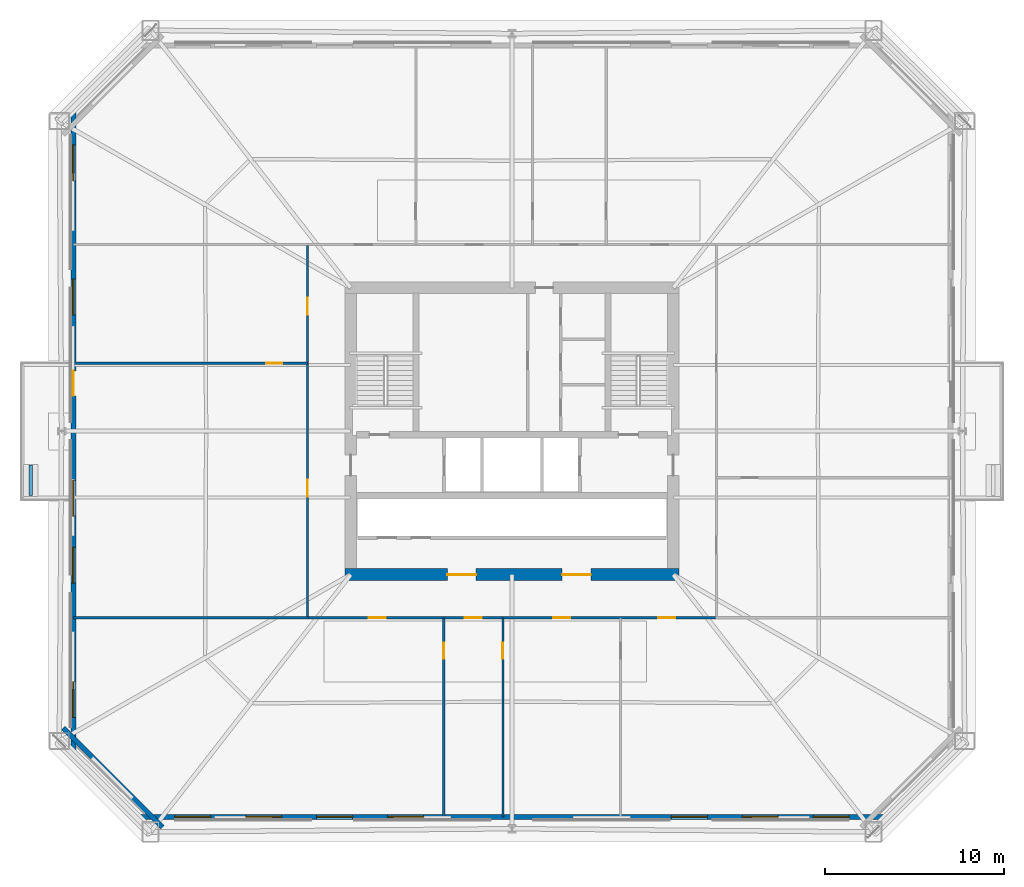
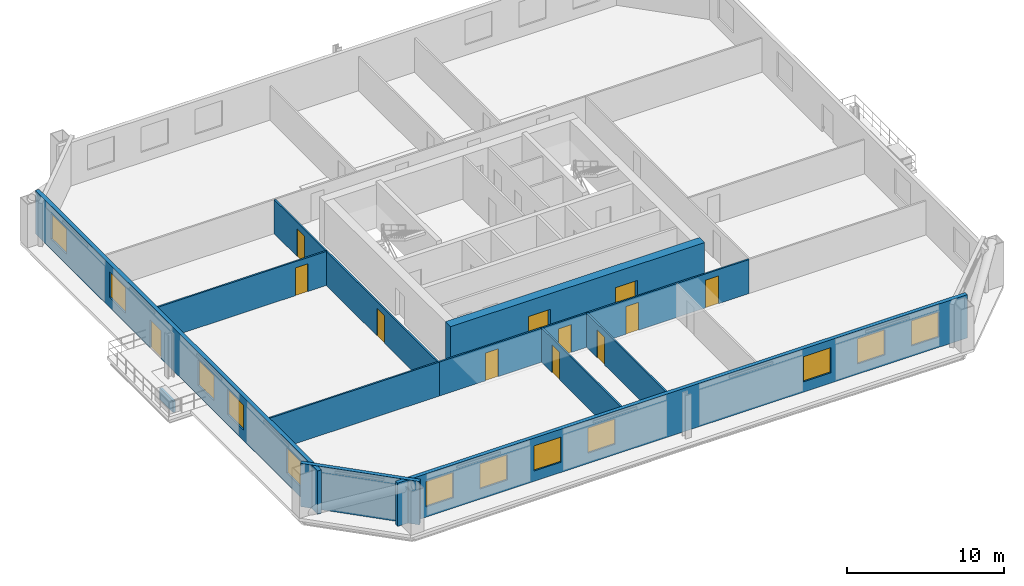
# One storey, part 5 of 11: 12 doors, 12 windows, 11 walls, 24 openings.
"""IFC4 building model written with IfcOpenShell, lengths in metres."""

from ifc_helpers import new_model, si_unit, direction, frame, frame_2d, origin, place, context, subcontext, project, spatial, rectangle, extrude, material, layer, layer_set, type_object, element, fill, save


model = new_model("IFC4")

# Units and contexts
model_context = context("Model", 3, precision=1e-05, world=origin(), true_north=direction((0.0, 1.0)))
body_context = subcontext(model_context, "Body", "Model", "MODEL_VIEW")
ifc_project = project(units=[si_unit("LENGTHUNIT", "METRE"), si_unit("AREAUNIT", "SQUARE_METRE"), si_unit("VOLUMEUNIT", "CUBIC_METRE"), si_unit("PLANEANGLEUNIT", "RADIAN"), si_unit("MASSUNIT", "GRAM", prefix="KILO")], contexts=[model_context])

# Site, building, storey
site_placement = place(None, origin())
site = spatial("IfcSite", under=ifc_project, at=site_placement, CompositionType="ELEMENT")
building_placement = place(site_placement, origin())
building = spatial("IfcBuilding", under=site, at=building_placement, Name="Caelvoria Tower", CompositionType="ELEMENT")
storey_placement = place(building_placement, frame((0.0, 0.0, 64.0)))
storey = spatial("IfcBuildingStorey", under=building, at=storey_placement, Name="L16", CompositionType="ELEMENT", Elevation=64.0)

# Wall
ifc_material_1 = material(Name="Bronze-Clad Concrete C40/50", Category="concrete")
ifc_layer_1 = layer(ifc_material_1, 0.179931640625, Name="Bronze-Clad Concrete C40/50")
ifc_layer_set_1 = layer_set([ifc_layer_1], Name="Architectural Planter Kerb Wall 180 - Bronze-Clad Concrete C40/50")
wall_type_1 = type_object("IfcWallType", Name="Architectural Planter Kerb Wall 180", PredefinedType="PARAPET", material=ifc_layer_set_1)
wall_1_placement = place(storey_placement, frame((19.14990234375, 28.39990234375, 0.0), z_axis=(0.0, 0.0, 1.0), x_axis=(0.0, 1.0, 0.0)))
element("IfcWall", 1, at=wall_1_placement, inside=storey, type_object=wall_type_1, Name="Tree Balcony Planter Kerb PLANTER TB-L16-W", PredefinedType="PARAPET", context=body_context, shape_type="SweptSolid", body=[
    extrude(rectangle(XDim=1.7001953125, YDim=0.179931640625, at=frame_2d((0.85009765625, 0.0))), origin(), (0.0, 0.0, 1.0), 0.8798828125),
])

# Wall, openings, windows
ifc_material_2 = material(Name="Precast Concrete C40/50 with Bronze Cladding", Category="concrete")
ifc_layer_2 = layer(ifc_material_2, 0.280029296875, Name="Precast Concrete C40/50 with Bronze Cladding")
ifc_layer_set_2 = layer_set([ifc_layer_2], Name="Exterior Precast Concrete C40/50 Bronze-Clad Facade Wall 280 - Precast Concrete C40/50 with Bronze Cladding")
wall_type_2 = type_object("IfcWallType", Name="Exterior Precast Concrete C40/50 Bronze-Clad Facade Wall 280", PredefinedType="STANDARD", material=ifc_layer_set_2)
wall_2_placement = place(storey_placement, frame((25.110107421875, 10.47998046875, 0.0), z_axis=(0.0, 0.0, 1.0), x_axis=(1.0, 0.0, 0.0)))
wall_2 = element("IfcWall", 2, at=wall_2_placement, inside=storey, type_object=wall_type_2, Name="Exterior Facade Wall L16-E0", PredefinedType="STANDARD", context=body_context, shape_type="SweptSolid", body=[
    extrude(rectangle(XDim=41.77978515625, YDim=0.280029296875, at=frame_2d((20.889892578125, 0.0))), origin(), (0.0, 0.0, 1.0), 3.360107421875),
])
opening_1_placement = place(wall_2_placement, frame((2.0791015625, 0.0, 0.800048828125)))
opening_1 = element("IfcOpeningElement", 3, at=opening_1_placement, cuts=wall_2, Name="Opening WN-01", PredefinedType="OPENING", context=body_context, shape_type="SweptSolid", body=[
    extrude(rectangle(XDim=2.0, YDim=1.949951171875, at=frame_2d((1.0, 0.97509765625))), frame((0.0, 0.14990234375, 0.0), z_axis=(0.0, -1.0, 0.0), x_axis=(1.0, 0.0, 0.0)), (0.0, 0.0, 1.0), 0.300048828125),
])
opening_2_placement = place(wall_2_placement, frame((6.037109375, 0.0, 0.800048828125)))
opening_2 = element("IfcOpeningElement", 4, at=opening_2_placement, cuts=wall_2, Name="Opening WN-01", PredefinedType="OPENING", context=body_context, shape_type="SweptSolid", body=[
    extrude(rectangle(XDim=2.0, YDim=1.949951171875, at=frame_2d((1.0, 0.97509765625))), frame((0.0, 0.14990234375, 0.0), z_axis=(0.0, -1.0, 0.0), x_axis=(1.0, 0.0, 0.0)), (0.0, 0.0, 1.0), 0.300048828125),
])
opening_3_placement = place(wall_2_placement, frame((9.9951171875, 0.0, 0.800048828125)))
opening_3 = element("IfcOpeningElement", 5, at=opening_3_placement, cuts=wall_2, Name="Opening WN-01", PredefinedType="OPENING", context=body_context, shape_type="SweptSolid", body=[
    extrude(rectangle(XDim=2.0, YDim=1.949951171875, at=frame_2d((1.0, 0.97509765625))), frame((0.0, 0.14990234375, 0.0), z_axis=(0.0, -1.0, 0.0), x_axis=(1.0, 0.0, 0.0)), (0.0, 0.0, 1.0), 0.300048828125),
])
opening_4_placement = place(wall_2_placement, frame((13.952880859375, 0.0, 0.800048828125)))
opening_4 = element("IfcOpeningElement", 6, at=opening_4_placement, cuts=wall_2, Name="Opening WN-01", PredefinedType="OPENING", context=body_context, shape_type="SweptSolid", body=[
    extrude(rectangle(XDim=2.0, YDim=1.949951171875, at=frame_2d((1.0, 0.97509765625))), frame((0.0, 0.14990234375, 0.0), z_axis=(0.0, -1.0, 0.0), x_axis=(1.0, 0.0, 0.0)), (0.0, 0.0, 1.0), 0.300048828125),
])
opening_5_placement = place(wall_2_placement, frame((29.784912109375, 0.0, 0.800048828125)))
opening_5 = element("IfcOpeningElement", 7, at=opening_5_placement, cuts=wall_2, Name="Opening WN-01", PredefinedType="OPENING", context=body_context, shape_type="SweptSolid", body=[
    extrude(rectangle(XDim=2.0, YDim=1.949951171875, at=frame_2d((1.0, 0.97509765625))), frame((0.0, 0.14990234375, 0.0), z_axis=(0.0, -1.0, 0.0), x_axis=(1.0, 0.0, 0.0)), (0.0, 0.0, 1.0), 0.300048828125),
])
opening_6_placement = place(wall_2_placement, frame((33.742919921875, 0.0, 0.800048828125)))
opening_6 = element("IfcOpeningElement", 8, at=opening_6_placement, cuts=wall_2, Name="Opening WN-01", PredefinedType="OPENING", context=body_context, shape_type="SweptSolid", body=[
    extrude(rectangle(XDim=2.0, YDim=1.949951171875, at=frame_2d((1.0, 0.97509765625))), frame((0.0, 0.14990234375, 0.0), z_axis=(0.0, -1.0, 0.0), x_axis=(1.0, 0.0, 0.0)), (0.0, 0.0, 1.0), 0.300048828125),
])
opening_7_placement = place(wall_2_placement, frame((37.700927734375, 0.0, 0.800048828125)))
opening_7 = element("IfcOpeningElement", 9, at=opening_7_placement, cuts=wall_2, Name="Opening WN-01", PredefinedType="OPENING", context=body_context, shape_type="SweptSolid", body=[
    extrude(rectangle(XDim=2.0, YDim=1.949951171875, at=frame_2d((1.0, 0.97509765625))), frame((0.0, 0.14990234375, 0.0), z_axis=(0.0, -1.0, 0.0), x_axis=(1.0, 0.0, 0.0)), (0.0, 0.0, 1.0), 0.300048828125),
])
ifc_material_3 = material(Name="Low-E Tinted Glass in Bronze Aluminium Frame", Category="aluminium")
window_type = type_object("IfcWindowType", Name="Tower Office Vision Window 2000x1950", PartitioningType="SINGLE_PANEL", PredefinedType="WINDOW", material=ifc_material_3)
window_1_placement = place(opening_1_placement, origin())
window_1 = element("IfcWindow", 10, at=window_1_placement, inside=storey, type_object=window_type, Name="Facade Window L16-E0-00", OverallHeight=1.949951171875, OverallWidth=2.0, PartitioningType="SINGLE_PANEL", PredefinedType="WINDOW", context=body_context, shape_type="SweptSolid", body=[
    extrude(rectangle(XDim=2.0, YDim=1.949951171875, at=frame_2d((1.0, 0.97509765625))), frame((0.0, 0.030029296875, 0.0), z_axis=(0.0, -1.0, 0.0), x_axis=(1.0, 0.0, 0.0)), (0.0, 0.0, 1.0), 0.06005859375),
])
fill(opening_1, window_1)
window_2_placement = place(opening_2_placement, origin())
window_2 = element("IfcWindow", 11, at=window_2_placement, inside=storey, type_object=window_type, Name="Facade Window L16-E0-01", OverallHeight=1.949951171875, OverallWidth=2.0, PartitioningType="SINGLE_PANEL", PredefinedType="WINDOW", context=body_context, shape_type="SweptSolid", body=[
    extrude(rectangle(XDim=2.0, YDim=1.949951171875, at=frame_2d((1.0, 0.97509765625))), frame((0.0, 0.030029296875, 0.0), z_axis=(0.0, -1.0, 0.0), x_axis=(1.0, 0.0, 0.0)), (0.0, 0.0, 1.0), 0.06005859375),
])
fill(opening_2, window_2)
window_3_placement = place(opening_3_placement, origin())
window_3 = element("IfcWindow", 12, at=window_3_placement, inside=storey, type_object=window_type, Name="Facade Window L16-E0-02", OverallHeight=1.949951171875, OverallWidth=2.0, PartitioningType="SINGLE_PANEL", PredefinedType="WINDOW", context=body_context, shape_type="SweptSolid", body=[
    extrude(rectangle(XDim=2.0, YDim=1.949951171875, at=frame_2d((1.0, 0.97509765625))), frame((0.0, 0.030029296875, 0.0), z_axis=(0.0, -1.0, 0.0), x_axis=(1.0, 0.0, 0.0)), (0.0, 0.0, 1.0), 0.06005859375),
])
fill(opening_3, window_3)
window_4_placement = place(opening_4_placement, origin())
window_4 = element("IfcWindow", 13, at=window_4_placement, inside=storey, type_object=window_type, Name="Facade Window L16-E0-03", OverallHeight=1.949951171875, OverallWidth=2.0, PartitioningType="SINGLE_PANEL", PredefinedType="WINDOW", context=body_context, shape_type="SweptSolid", body=[
    extrude(rectangle(XDim=2.0, YDim=1.949951171875, at=frame_2d((1.0, 0.97509765625))), frame((0.0, 0.030029296875, 0.0), z_axis=(0.0, -1.0, 0.0), x_axis=(1.0, 0.0, 0.0)), (0.0, 0.0, 1.0), 0.06005859375),
])
fill(opening_4, window_4)
window_5_placement = place(opening_5_placement, origin())
window_5 = element("IfcWindow", 14, at=window_5_placement, inside=storey, type_object=window_type, Name="Facade Window L16-E0-07", OverallHeight=1.949951171875, OverallWidth=2.0, PartitioningType="SINGLE_PANEL", PredefinedType="WINDOW", context=body_context, shape_type="SweptSolid", body=[
    extrude(rectangle(XDim=2.0, YDim=1.949951171875, at=frame_2d((1.0, 0.97509765625))), frame((0.0, 0.030029296875, 0.0), z_axis=(0.0, -1.0, 0.0), x_axis=(1.0, 0.0, 0.0)), (0.0, 0.0, 1.0), 0.06005859375),
])
fill(opening_5, window_5)
window_6_placement = place(opening_6_placement, origin())
window_6 = element("IfcWindow", 15, at=window_6_placement, inside=storey, type_object=window_type, Name="Facade Window L16-E0-08", OverallHeight=1.949951171875, OverallWidth=2.0, PartitioningType="SINGLE_PANEL", PredefinedType="WINDOW", context=body_context, shape_type="SweptSolid", body=[
    extrude(rectangle(XDim=2.0, YDim=1.949951171875, at=frame_2d((1.0, 0.97509765625))), frame((0.0, 0.030029296875, 0.0), z_axis=(0.0, -1.0, 0.0), x_axis=(1.0, 0.0, 0.0)), (0.0, 0.0, 1.0), 0.06005859375),
])
fill(opening_6, window_6)
window_7_placement = place(opening_7_placement, origin())
window_7 = element("IfcWindow", 16, at=window_7_placement, inside=storey, type_object=window_type, Name="Facade Window L16-E0-09", OverallHeight=1.949951171875, OverallWidth=2.0, PartitioningType="SINGLE_PANEL", PredefinedType="WINDOW", context=body_context, shape_type="SweptSolid", body=[
    extrude(rectangle(XDim=2.0, YDim=1.949951171875, at=frame_2d((1.0, 0.97509765625))), frame((0.0, 0.030029296875, 0.0), z_axis=(0.0, -1.0, 0.0), x_axis=(1.0, 0.0, 0.0)), (0.0, 0.0, 1.0), 0.06005859375),
])
fill(opening_7, window_7)

# Wall, openings, windows, door
wall_3_placement = place(storey_placement, frame((21.530029296875, 49.93994140625, 0.0), z_axis=(0.0, 0.0, 1.0), x_axis=(0.0, -1.0, 0.0)))
wall_3 = element("IfcWall", 17, at=wall_3_placement, inside=storey, type_object=wall_type_2, Name="Exterior Facade Wall L16-E6", PredefinedType="STANDARD", context=body_context, shape_type="SweptSolid", body=[
    extrude(rectangle(XDim=35.8798828125, YDim=0.280029296875, at=frame_2d((17.93994140625, 0.0))), origin(), (0.0, 0.0, 1.0), 3.360107421875),
])
opening_8_placement = place(wall_3_placement, frame((14.570068359375, 0.0, 0.0)))
opening_8 = element("IfcOpeningElement", 18, at=opening_8_placement, cuts=wall_3, Name="Opening ED-04", PredefinedType="OPENING", context=body_context, shape_type="SweptSolid", body=[
    extrude(rectangle(XDim=1.39990234375, YDim=2.14990234375, at=frame_2d((0.699951171875, 1.074951171875))), frame((0.0, 0.14990234375, 0.0), z_axis=(0.0, -1.0, 0.0), x_axis=(1.0, 0.0, 0.0)), (0.0, 0.0, 1.0), 0.300048828125),
])
opening_9_placement = place(wall_3_placement, frame((1.97119140625, 0.0, 0.800048828125)))
opening_9 = element("IfcOpeningElement", 19, at=opening_9_placement, cuts=wall_3, Name="Opening WN-01", PredefinedType="OPENING", context=body_context, shape_type="SweptSolid", body=[
    extrude(rectangle(XDim=2.0, YDim=1.949951171875, at=frame_2d((1.0, 0.97509765625))), frame((0.0, 0.14990234375, 0.0), z_axis=(0.0, -1.0, 0.0), x_axis=(1.0, 0.0, 0.0)), (0.0, 0.0, 1.0), 0.300048828125),
])
opening_10_placement = place(wall_3_placement, frame((9.45556640625, 0.0, 0.800048828125)))
opening_10 = element("IfcOpeningElement", 20, at=opening_10_placement, cuts=wall_3, Name="Opening WN-01", PredefinedType="OPENING", context=body_context, shape_type="SweptSolid", body=[
    extrude(rectangle(XDim=2.0, YDim=1.949951171875, at=frame_2d((1.0, 0.97509765625))), frame((0.0, 0.14990234375, 0.0), z_axis=(0.0, -1.0, 0.0), x_axis=(1.0, 0.0, 0.0)), (0.0, 0.0, 1.0), 0.300048828125),
])
opening_11_placement = place(wall_3_placement, frame((20.68212890625, 0.0, 0.800048828125)))
opening_11 = element("IfcOpeningElement", 21, at=opening_11_placement, cuts=wall_3, Name="Opening WN-01", PredefinedType="OPENING", context=body_context, shape_type="SweptSolid", body=[
    extrude(rectangle(XDim=2.0, YDim=1.949951171875, at=frame_2d((1.0, 0.97509765625))), frame((0.0, 0.14990234375, 0.0), z_axis=(0.0, -1.0, 0.0), x_axis=(1.0, 0.0, 0.0)), (0.0, 0.0, 1.0), 0.300048828125),
])
opening_12_placement = place(wall_3_placement, frame((24.42431640625, 0.0, 0.800048828125)))
opening_12 = element("IfcOpeningElement", 22, at=opening_12_placement, cuts=wall_3, Name="Opening WN-01", PredefinedType="OPENING", context=body_context, shape_type="SweptSolid", body=[
    extrude(rectangle(XDim=2.0, YDim=1.949951171875, at=frame_2d((1.0, 0.97509765625))), frame((0.0, 0.14990234375, 0.0), z_axis=(0.0, -1.0, 0.0), x_axis=(1.0, 0.0, 0.0)), (0.0, 0.0, 1.0), 0.300048828125),
])
opening_13_placement = place(wall_3_placement, frame((31.908935546875, 0.0, 0.800048828125)))
opening_13 = element("IfcOpeningElement", 23, at=opening_13_placement, cuts=wall_3, Name="Opening WN-01", PredefinedType="OPENING", context=body_context, shape_type="SweptSolid", body=[
    extrude(rectangle(XDim=2.0, YDim=1.949951171875, at=frame_2d((1.0, 0.97509765625))), frame((0.0, 0.14990234375, 0.0), z_axis=(0.0, -1.0, 0.0), x_axis=(1.0, 0.0, 0.0)), (0.0, 0.0, 1.0), 0.300048828125),
])
window_8_placement = place(opening_9_placement, origin())
window_8 = element("IfcWindow", 24, at=window_8_placement, inside=storey, type_object=window_type, Name="Facade Window L16-E6-00", OverallHeight=1.949951171875, OverallWidth=2.0, PartitioningType="SINGLE_PANEL", PredefinedType="WINDOW", context=body_context, shape_type="SweptSolid", body=[
    extrude(rectangle(XDim=2.0, YDim=1.949951171875, at=frame_2d((1.0, 0.97509765625))), frame((0.0, 0.030029296875, 0.0), z_axis=(0.0, -1.0, 0.0), x_axis=(1.0, 0.0, 0.0)), (0.0, 0.0, 1.0), 0.06005859375),
])
fill(opening_9, window_8)
window_9_placement = place(opening_10_placement, origin())
window_9 = element("IfcWindow", 25, at=window_9_placement, inside=storey, type_object=window_type, Name="Facade Window L16-E6-02", OverallHeight=1.949951171875, OverallWidth=2.0, PartitioningType="SINGLE_PANEL", PredefinedType="WINDOW", context=body_context, shape_type="SweptSolid", body=[
    extrude(rectangle(XDim=2.0, YDim=1.949951171875, at=frame_2d((1.0, 0.97509765625))), frame((0.0, 0.030029296875, 0.0), z_axis=(0.0, -1.0, 0.0), x_axis=(1.0, 0.0, 0.0)), (0.0, 0.0, 1.0), 0.06005859375),
])
fill(opening_10, window_9)
window_10_placement = place(opening_11_placement, origin())
window_10 = element("IfcWindow", 26, at=window_10_placement, inside=storey, type_object=window_type, Name="Facade Window L16-E6-05", OverallHeight=1.949951171875, OverallWidth=2.0, PartitioningType="SINGLE_PANEL", PredefinedType="WINDOW", context=body_context, shape_type="SweptSolid", body=[
    extrude(rectangle(XDim=2.0, YDim=1.949951171875, at=frame_2d((1.0, 0.97509765625))), frame((0.0, 0.030029296875, 0.0), z_axis=(0.0, -1.0, 0.0), x_axis=(1.0, 0.0, 0.0)), (0.0, 0.0, 1.0), 0.06005859375),
])
fill(opening_11, window_10)
window_11_placement = place(opening_12_placement, origin())
window_11 = element("IfcWindow", 27, at=window_11_placement, inside=storey, type_object=window_type, Name="Facade Window L16-E6-06", OverallHeight=1.949951171875, OverallWidth=2.0, PartitioningType="SINGLE_PANEL", PredefinedType="WINDOW", context=body_context, shape_type="SweptSolid", body=[
    extrude(rectangle(XDim=2.0, YDim=1.949951171875, at=frame_2d((1.0, 0.97509765625))), frame((0.0, 0.030029296875, 0.0), z_axis=(0.0, -1.0, 0.0), x_axis=(1.0, 0.0, 0.0)), (0.0, 0.0, 1.0), 0.06005859375),
])
fill(opening_12, window_11)
window_12_placement = place(opening_13_placement, origin())
window_12 = element("IfcWindow", 28, at=window_12_placement, inside=storey, type_object=window_type, Name="Facade Window L16-E6-08", OverallHeight=1.949951171875, OverallWidth=2.0, PartitioningType="SINGLE_PANEL", PredefinedType="WINDOW", context=body_context, shape_type="SweptSolid", body=[
    extrude(rectangle(XDim=2.0, YDim=1.949951171875, at=frame_2d((1.0, 0.97509765625))), frame((0.0, 0.030029296875, 0.0), z_axis=(0.0, -1.0, 0.0), x_axis=(1.0, 0.0, 0.0)), (0.0, 0.0, 1.0), 0.06005859375),
])
fill(opening_13, window_12)
ifc_material_4 = material(Name="Anodised Bronze Aluminium and Laminated Glass", Category="aluminium")
door_type_1 = type_object("IfcDoorType", Name="Tree Balcony Glazed Door 1400x2150", OperationType="NOTDEFINED", PredefinedType="DOOR", material=ifc_material_4)
door_1_placement = place(opening_8_placement, origin())
door_1 = element("IfcDoor", 29, at=door_1_placement, inside=storey, type_object=door_type_1, Name="Tree Balcony Door L16-W", OperationType="SINGLE_SWING_LEFT", OverallHeight=2.14990234375, OverallWidth=1.39990234375, PredefinedType="DOOR", context=body_context, shape_type="SweptSolid", body=[
    extrude(rectangle(XDim=1.39990234375, YDim=2.14990234375, at=frame_2d((0.699951171875, 1.074951171875))), frame((0.0, 0.02490234375, 0.0), z_axis=(0.0, -1.0, 0.0), x_axis=(1.0, 0.0, 0.0)), (0.0, 0.0, 1.0), 0.050048828125),
])
fill(opening_8, door_1)

# Wall
wall_4_placement = place(storey_placement, frame((20.9560546875, 15.445556640625, 0.0), z_axis=(0.0, 0.0, 1.0), x_axis=(0.707106781187, -0.707106781187, 0.0)))
element("IfcWall", 30, at=wall_4_placement, inside=storey, type_object=wall_type_2, Name="Exterior Facade Wall L16-E7", PredefinedType="STANDARD", context=body_context, shape_type="SweptSolid", body=[
    extrude(rectangle(XDim=7.834228515625, YDim=0.280029296875, at=frame_2d((3.9169921875, 0.0))), origin(), (0.0, 0.0, 1.0), 3.360107421875),
])

# Wall, openings, doors
ifc_material_5 = material(Name="Concrete C60/75", Category="concrete")
ifc_layer_3 = layer(ifc_material_5, 0.64990234375, Name="Concrete C60/75")
ifc_layer_set_3 = layer_set([ifc_layer_3], Name="Lower Core Shear Wall 650 - Concrete C60/75")
wall_type_3 = type_object("IfcWallType", Name="Lower Core Shear Wall 650", PredefinedType="SHEAR", material=ifc_layer_set_3)
wall_5_placement = place(storey_placement, frame((36.675048828125, 24.0, 0.0), z_axis=(0.0, 0.0, 1.0), x_axis=(1.0, 0.0, 0.0)))
wall_5 = element("IfcWall", 31, at=wall_5_placement, inside=storey, type_object=wall_type_3, Name="Core Shear Wall L16 S", PredefinedType="SHEAR", context=body_context, shape_type="SweptSolid", body=[
    extrude(rectangle(XDim=18.64990234375, YDim=0.64990234375, at=frame_2d((9.324951171875, 0.0))), origin(), (0.0, 0.0, 1.0), 3.360107421875),
])
opening_14_placement = place(wall_5_placement, frame((5.72509765625, 0.0, 0.0)))
opening_14 = element("IfcOpeningElement", 32, at=opening_14_placement, cuts=wall_5, Name="Opening ID-08", PredefinedType="OPENING", context=body_context, shape_type="SweptSolid", body=[
    extrude(rectangle(XDim=1.60009765625, YDim=2.14990234375, at=frame_2d((0.800048828125, 1.074951171875))), frame((0.0, 0.3349609375, 0.0), z_axis=(0.0, -1.0, 0.0), x_axis=(1.0, 0.0, 0.0)), (0.0, 0.0, 1.0), 0.669921875),
])
opening_15_placement = place(wall_5_placement, frame((12.125, 0.0, 0.0)))
opening_15 = element("IfcOpeningElement", 33, at=opening_15_placement, cuts=wall_5, Name="Opening ID-08", PredefinedType="OPENING", context=body_context, shape_type="SweptSolid", body=[
    extrude(rectangle(XDim=1.60009765625, YDim=2.14990234375, at=frame_2d((0.800048828125, 1.074951171875))), frame((0.0, 0.3349609375, 0.0), z_axis=(0.0, -1.0, 0.0), x_axis=(1.0, 0.0, 0.0)), (0.0, 0.0, 1.0), 0.669921875),
])
ifc_material_6 = material(Name="Bronze-Framed Fire-Rated Glazed Double Door", Category="aluminium")
door_type_2 = type_object("IfcDoorType", Name="Double Lobby Glazed Door 1600x2200", OperationType="NOTDEFINED", PredefinedType="DOOR", material=ifc_material_6)
door_2_placement = place(opening_14_placement, origin())
door_2 = element("IfcDoor", 34, at=door_2_placement, inside=storey, type_object=door_type_2, Name="Core Door DR-L16-LLOB-S1", OperationType="DOUBLE_DOOR_SINGLE_SWING", OverallHeight=2.14990234375, OverallWidth=1.60009765625, PredefinedType="DOOR", context=body_context, shape_type="SweptSolid", body=[
    extrude(rectangle(XDim=1.60009765625, YDim=2.14990234375, at=frame_2d((0.800048828125, 1.074951171875))), frame((0.0, 0.02490234375, 0.0), z_axis=(0.0, -1.0, 0.0), x_axis=(1.0, 0.0, 0.0)), (0.0, 0.0, 1.0), 0.050048828125),
])
fill(opening_14, door_2)
door_3_placement = place(opening_15_placement, origin())
door_3 = element("IfcDoor", 35, at=door_3_placement, inside=storey, type_object=door_type_2, Name="Core Door DR-L16-LLOB-S2", OperationType="DOUBLE_DOOR_SINGLE_SWING", OverallHeight=2.14990234375, OverallWidth=1.60009765625, PredefinedType="DOOR", context=body_context, shape_type="SweptSolid", body=[
    extrude(rectangle(XDim=1.60009765625, YDim=2.14990234375, at=frame_2d((0.800048828125, 1.074951171875))), frame((0.0, 0.02490234375, 0.0), z_axis=(0.0, -1.0, 0.0), x_axis=(1.0, 0.0, 0.0)), (0.0, 0.0, 1.0), 0.050048828125),
])
fill(opening_15, door_3)

# Wall, opening, door
ifc_material_7 = material(Name="Acoustic Gypsum Board on Light-Gauge Stud", Category="gypsum")
ifc_layer_4 = layer(ifc_material_7, 0.1201171875, Name="Acoustic Gypsum Board on Light-Gauge Stud")
ifc_layer_set_4 = layer_set([ifc_layer_4], Name="Tenant Suite Acoustic Partition Wall 120 - Acoustic Gypsum Board on Light-Gauge Stud")
wall_type_4 = type_object("IfcWallType", Name="Tenant Suite Acoustic Partition Wall 120", PredefinedType="PARTITIONING", material=ifc_layer_set_4)
wall_6_placement = place(storey_placement, frame((42.190673828125, 21.590087890625, 0.0), z_axis=(0.0, 0.0, 1.0), x_axis=(0.0, -1.0, 0.0)))
wall_6 = element("IfcWall", 36, at=wall_6_placement, inside=storey, type_object=wall_type_4, Name="Interior Partition IW-L16-SD-00-0", PredefinedType="PARTITIONING", context=body_context, shape_type="SweptSolid", body=[
    extrude(rectangle(XDim=11.110107421875, YDim=0.1201171875, at=frame_2d((5.55517578125, 0.0))), origin(), (0.0, 0.0, 1.0), 2.639892578125),
])
opening_16_placement = place(wall_6_placement, frame((1.39990234375, 0.0, 0.0)))
opening_16 = element("IfcOpeningElement", 37, at=opening_16_placement, cuts=wall_6, Name="Opening ID-06", PredefinedType="OPENING", context=body_context, shape_type="SweptSolid", body=[
    extrude(rectangle(XDim=0.89990234375, YDim=2.14990234375, at=frame_2d((0.449951171875, 1.074951171875))), frame((0.0, 0.070068359375, 0.0), z_axis=(0.0, -1.0, 0.0), x_axis=(1.0, 0.0, 0.0)), (0.0, 0.0, 1.0), 0.14013671875),
])
ifc_material_8 = material(Name="Engineered Andean Oak Veneer Door", Category="wood")
door_type_3 = type_object("IfcDoorType", Name="Interior Timber Door 900x2150", OperationType="NOTDEFINED", PredefinedType="DOOR", material=ifc_material_8)
door_4_placement = place(opening_16_placement, origin())
door_4 = element("IfcDoor", 38, at=door_4_placement, inside=storey, type_object=door_type_3, Name="Interior Door DR-L16-SM-00-0", OperationType="SINGLE_SWING_RIGHT", OverallHeight=2.14990234375, OverallWidth=0.89990234375, PredefinedType="DOOR", context=body_context, shape_type="SweptSolid", body=[
    extrude(rectangle(XDim=0.89990234375, YDim=2.14990234375, at=frame_2d((0.449951171875, 1.074951171875))), frame((0.0, 0.02490234375, 0.0), z_axis=(0.0, -1.0, 0.0), x_axis=(1.0, 0.0, 0.0)), (0.0, 0.0, 1.0), 0.050048828125),
])
fill(opening_16, door_4)

wall_7_placement = place(storey_placement, frame((45.494384765625, 21.590087890625, 0.0), z_axis=(0.0, 0.0, 1.0), x_axis=(0.0, -1.0, 0.0)))
wall_7 = element("IfcWall", 39, at=wall_7_placement, inside=storey, type_object=wall_type_4, Name="Interior Partition IW-L16-SD-01-0", PredefinedType="PARTITIONING", context=body_context, shape_type="SweptSolid", body=[
    extrude(rectangle(XDim=11.110107421875, YDim=0.1201171875, at=frame_2d((5.55517578125, 0.0))), origin(), (0.0, 0.0, 1.0), 2.639892578125),
])
opening_17_placement = place(wall_7_placement, frame((1.39990234375, 0.0, 0.0)))
opening_17 = element("IfcOpeningElement", 40, at=opening_17_placement, cuts=wall_7, Name="Opening ID-06", PredefinedType="OPENING", context=body_context, shape_type="SweptSolid", body=[
    extrude(rectangle(XDim=0.89990234375, YDim=2.14990234375, at=frame_2d((0.449951171875, 1.074951171875))), frame((0.0, 0.070068359375, 0.0), z_axis=(0.0, -1.0, 0.0), x_axis=(1.0, 0.0, 0.0)), (0.0, 0.0, 1.0), 0.14013671875),
])
door_5_placement = place(opening_17_placement, origin())
door_5 = element("IfcDoor", 41, at=door_5_placement, inside=storey, type_object=door_type_3, Name="Interior Door DR-L16-SM-01-0", OperationType="SINGLE_SWING_LEFT", OverallHeight=2.14990234375, OverallWidth=0.89990234375, PredefinedType="DOOR", context=body_context, shape_type="SweptSolid", body=[
    extrude(rectangle(XDim=0.89990234375, YDim=2.14990234375, at=frame_2d((0.449951171875, 1.074951171875))), frame((0.0, 0.02490234375, 0.0), z_axis=(0.0, -1.0, 0.0), x_axis=(1.0, 0.0, 0.0)), (0.0, 0.0, 1.0), 0.050048828125),
])
fill(opening_17, door_5)

# Wall, openings, doors
wall_8_placement = place(storey_placement, frame((34.64990234375, 21.590087890625, 0.0), z_axis=(0.0, 0.0, 1.0), x_axis=(1.0, 0.0, 0.0)))
wall_8 = element("IfcWall", 42, at=wall_8_placement, inside=storey, type_object=wall_type_4, Name="Interior Partition IW-L16-SCW-0", PredefinedType="PARTITIONING", context=body_context, shape_type="SweptSolid", body=[
    extrude(rectangle(XDim=22.7001953125, YDim=0.1201171875, at=frame_2d((11.35009765625, 0.0))), origin(), (0.0, 0.0, 1.0), 2.639892578125),
])
opening_18_placement = place(wall_8_placement, frame((3.365234375, 0.0, 0.0)))
opening_18 = element("IfcOpeningElement", 43, at=opening_18_placement, cuts=wall_8, Name="Opening ID-05", PredefinedType="OPENING", context=body_context, shape_type="SweptSolid", body=[
    extrude(rectangle(XDim=0.949951171875, YDim=2.14990234375, at=frame_2d((0.47509765625, 1.074951171875))), frame((0.0, 0.070068359375, 0.0), z_axis=(0.0, -1.0, 0.0), x_axis=(1.0, 0.0, 0.0)), (0.0, 0.0, 1.0), 0.14013671875),
])
opening_19_placement = place(wall_8_placement, frame((8.717529296875, 0.0, 0.0)))
opening_19 = element("IfcOpeningElement", 44, at=opening_19_placement, cuts=wall_8, Name="Opening ID-05", PredefinedType="OPENING", context=body_context, shape_type="SweptSolid", body=[
    extrude(rectangle(XDim=0.949951171875, YDim=2.14990234375, at=frame_2d((0.47509765625, 1.074951171875))), frame((0.0, 0.070068359375, 0.0), z_axis=(0.0, -1.0, 0.0), x_axis=(1.0, 0.0, 0.0)), (0.0, 0.0, 1.0), 0.14013671875),
])
opening_20_placement = place(wall_8_placement, frame((13.651123046875, 0.0, 0.0)))
opening_20 = element("IfcOpeningElement", 45, at=opening_20_placement, cuts=wall_8, Name="Opening ID-05", PredefinedType="OPENING", context=body_context, shape_type="SweptSolid", body=[
    extrude(rectangle(XDim=0.949951171875, YDim=2.14990234375, at=frame_2d((0.47509765625, 1.074951171875))), frame((0.0, 0.070068359375, 0.0), z_axis=(0.0, -1.0, 0.0), x_axis=(1.0, 0.0, 0.0)), (0.0, 0.0, 1.0), 0.14013671875),
])
opening_21_placement = place(wall_8_placement, frame((19.509033203125, 0.0, 0.0)))
opening_21 = element("IfcOpeningElement", 46, at=opening_21_placement, cuts=wall_8, Name="Opening ID-05", PredefinedType="OPENING", context=body_context, shape_type="SweptSolid", body=[
    extrude(rectangle(XDim=0.949951171875, YDim=2.14990234375, at=frame_2d((0.47509765625, 1.074951171875))), frame((0.0, 0.070068359375, 0.0), z_axis=(0.0, -1.0, 0.0), x_axis=(1.0, 0.0, 0.0)), (0.0, 0.0, 1.0), 0.14013671875),
])
door_type_4 = type_object("IfcDoorType", Name="Interior Timber Door 950x2150", OperationType="NOTDEFINED", PredefinedType="DOOR", material=ifc_material_8)
door_6_placement = place(opening_18_placement, origin())
door_6 = element("IfcDoor", 47, at=door_6_placement, inside=storey, type_object=door_type_4, Name="Interior Door DR-L16-SC-00-0", OperationType="SINGLE_SWING_LEFT", OverallHeight=2.14990234375, OverallWidth=0.949951171875, PredefinedType="DOOR", context=body_context, shape_type="SweptSolid", body=[
    extrude(rectangle(XDim=0.949951171875, YDim=2.14990234375, at=frame_2d((0.47509765625, 1.074951171875))), frame((0.0, 0.02490234375, 0.0), z_axis=(0.0, -1.0, 0.0), x_axis=(1.0, 0.0, 0.0)), (0.0, 0.0, 1.0), 0.050048828125),
])
fill(opening_18, door_6)
door_7_placement = place(opening_19_placement, origin())
door_7 = element("IfcDoor", 48, at=door_7_placement, inside=storey, type_object=door_type_4, Name="Interior Door DR-L16-SC-01-0", OperationType="SINGLE_SWING_RIGHT", OverallHeight=2.14990234375, OverallWidth=0.949951171875, PredefinedType="DOOR", context=body_context, shape_type="SweptSolid", body=[
    extrude(rectangle(XDim=0.949951171875, YDim=2.14990234375, at=frame_2d((0.47509765625, 1.074951171875))), frame((0.0, 0.02490234375, 0.0), z_axis=(0.0, -1.0, 0.0), x_axis=(1.0, 0.0, 0.0)), (0.0, 0.0, 1.0), 0.050048828125),
])
fill(opening_19, door_7)
door_8_placement = place(opening_20_placement, origin())
door_8 = element("IfcDoor", 49, at=door_8_placement, inside=storey, type_object=door_type_4, Name="Interior Door DR-L16-SC-02-0", OperationType="SINGLE_SWING_LEFT", OverallHeight=2.14990234375, OverallWidth=0.949951171875, PredefinedType="DOOR", context=body_context, shape_type="SweptSolid", body=[
    extrude(rectangle(XDim=0.949951171875, YDim=2.14990234375, at=frame_2d((0.47509765625, 1.074951171875))), frame((0.0, 0.02490234375, 0.0), z_axis=(0.0, -1.0, 0.0), x_axis=(1.0, 0.0, 0.0)), (0.0, 0.0, 1.0), 0.050048828125),
])
fill(opening_20, door_8)
door_9_placement = place(opening_21_placement, origin())
door_9 = element("IfcDoor", 50, at=door_9_placement, inside=storey, type_object=door_type_4, Name="Interior Door DR-L16-SC-03-0", OperationType="SINGLE_SWING_RIGHT", OverallHeight=2.14990234375, OverallWidth=0.949951171875, PredefinedType="DOOR", context=body_context, shape_type="SweptSolid", body=[
    extrude(rectangle(XDim=0.949951171875, YDim=2.14990234375, at=frame_2d((0.47509765625, 1.074951171875))), frame((0.0, 0.02490234375, 0.0), z_axis=(0.0, -1.0, 0.0), x_axis=(1.0, 0.0, 0.0)), (0.0, 0.0, 1.0), 0.050048828125),
])
fill(opening_21, door_9)

# Wall, opening, door
wall_9_placement = place(storey_placement, frame((34.590087890625, 35.791259765625, 0.0), z_axis=(0.0, 0.0, 1.0), x_axis=(-1.0, 0.0, 0.0)))
wall_9 = element("IfcWall", 51, at=wall_9_placement, inside=storey, type_object=wall_type_4, Name="Interior Partition IW-L16-WD-00-0", PredefinedType="PARTITIONING", context=body_context, shape_type="SweptSolid", body=[
    extrude(rectangle(XDim=13.06005859375, YDim=0.1201171875, at=frame_2d((6.530029296875, 0.0))), origin(), (0.0, 0.0, 1.0), 2.639892578125),
])
opening_22_placement = place(wall_9_placement, frame((1.39990234375, 0.0, 0.0)))
opening_22 = element("IfcOpeningElement", 52, at=opening_22_placement, cuts=wall_9, Name="Opening ID-06", PredefinedType="OPENING", context=body_context, shape_type="SweptSolid", body=[
    extrude(rectangle(XDim=0.89990234375, YDim=2.14990234375, at=frame_2d((0.449951171875, 1.074951171875))), frame((0.0, 0.070068359375, 0.0), z_axis=(0.0, -1.0, 0.0), x_axis=(1.0, 0.0, 0.0)), (0.0, 0.0, 1.0), 0.14013671875),
])
door_10_placement = place(opening_22_placement, origin())
door_10 = element("IfcDoor", 53, at=door_10_placement, inside=storey, type_object=door_type_3, Name="Interior Door DR-L16-WM-00-0", OperationType="SINGLE_SWING_RIGHT", OverallHeight=2.14990234375, OverallWidth=0.89990234375, PredefinedType="DOOR", context=body_context, shape_type="SweptSolid", body=[
    extrude(rectangle(XDim=0.89990234375, YDim=2.14990234375, at=frame_2d((0.449951171875, 1.074951171875))), frame((0.0, 0.02490234375, 0.0), z_axis=(0.0, -1.0, 0.0), x_axis=(1.0, 0.0, 0.0)), (0.0, 0.0, 1.0), 0.050048828125),
])
fill(opening_22, door_10)

# Wall, openings, doors
wall_10_placement = place(storey_placement, frame((34.590087890625, 21.64990234375, 0.0), z_axis=(0.0, 0.0, 1.0), x_axis=(0.0, 1.0, 0.0)))
wall_10 = element("IfcWall", 54, at=wall_10_placement, inside=storey, type_object=wall_type_4, Name="Interior Partition IW-L16-WCW-0", PredefinedType="PARTITIONING", context=body_context, shape_type="SweptSolid", body=[
    extrude(rectangle(XDim=20.7001953125, YDim=0.1201171875, at=frame_2d((10.35009765625, 0.0))), origin(), (0.0, 0.0, 1.0), 2.639892578125),
])
opening_23_placement = place(wall_10_placement, frame((6.695556640625, 0.0, 0.0)))
opening_23 = element("IfcOpeningElement", 55, at=opening_23_placement, cuts=wall_10, Name="Opening ID-05", PredefinedType="OPENING", context=body_context, shape_type="SweptSolid", body=[
    extrude(rectangle(XDim=0.949951171875, YDim=2.14990234375, at=frame_2d((0.47509765625, 1.074951171875))), frame((0.0, 0.070068359375, 0.0), z_axis=(0.0, -1.0, 0.0), x_axis=(1.0, 0.0, 0.0)), (0.0, 0.0, 1.0), 0.14013671875),
])
opening_24_placement = place(wall_10_placement, frame((16.845703125, 0.0, 0.0)))
opening_24 = element("IfcOpeningElement", 56, at=opening_24_placement, cuts=wall_10, Name="Opening ID-05", PredefinedType="OPENING", context=body_context, shape_type="SweptSolid", body=[
    extrude(rectangle(XDim=0.949951171875, YDim=2.14990234375, at=frame_2d((0.47509765625, 1.074951171875))), frame((0.0, 0.070068359375, 0.0), z_axis=(0.0, -1.0, 0.0), x_axis=(1.0, 0.0, 0.0)), (0.0, 0.0, 1.0), 0.14013671875),
])
door_11_placement = place(opening_23_placement, origin())
door_11 = element("IfcDoor", 57, at=door_11_placement, inside=storey, type_object=door_type_4, Name="Interior Door DR-L16-WC-00-0", OperationType="SINGLE_SWING_LEFT", OverallHeight=2.14990234375, OverallWidth=0.949951171875, PredefinedType="DOOR", context=body_context, shape_type="SweptSolid", body=[
    extrude(rectangle(XDim=0.949951171875, YDim=2.14990234375, at=frame_2d((0.47509765625, 1.074951171875))), frame((0.0, 0.02490234375, 0.0), z_axis=(0.0, -1.0, 0.0), x_axis=(1.0, 0.0, 0.0)), (0.0, 0.0, 1.0), 0.050048828125),
])
fill(opening_23, door_11)
door_12_placement = place(opening_24_placement, origin())
door_12 = element("IfcDoor", 58, at=door_12_placement, inside=storey, type_object=door_type_4, Name="Interior Door DR-L16-WC-01-0", OperationType="SINGLE_SWING_RIGHT", OverallHeight=2.14990234375, OverallWidth=0.949951171875, PredefinedType="DOOR", context=body_context, shape_type="SweptSolid", body=[
    extrude(rectangle(XDim=0.949951171875, YDim=2.14990234375, at=frame_2d((0.47509765625, 1.074951171875))), frame((0.0, 0.02490234375, 0.0), z_axis=(0.0, -1.0, 0.0), x_axis=(1.0, 0.0, 0.0)), (0.0, 0.0, 1.0), 0.050048828125),
])
fill(opening_24, door_12)

# Wall
wall_11_placement = place(storey_placement, frame((34.64990234375, 21.590087890625, 0.0), z_axis=(0.0, 0.0, 1.0), x_axis=(-1.0, 0.0, 0.0)))
element("IfcWall", 59, at=wall_11_placement, inside=storey, type_object=wall_type_4, Name="Interior Partition IW-L16-BSW-0", PredefinedType="PARTITIONING", context=body_context, shape_type="SweptSolid", body=[
    extrude(rectangle(XDim=13.119873046875, YDim=0.1201171875, at=frame_2d((6.56005859375, 0.0))), origin(), (0.0, 0.0, 1.0), 2.639892578125),
])

save(model, "model.ifc")
